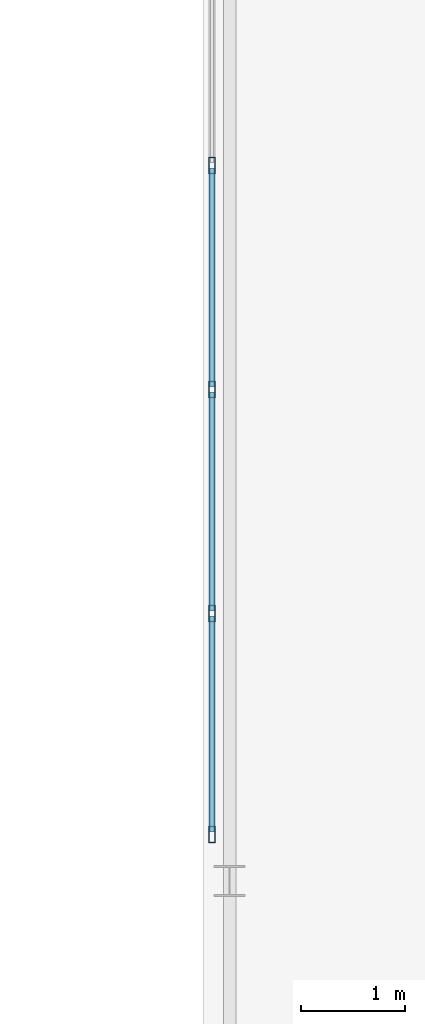
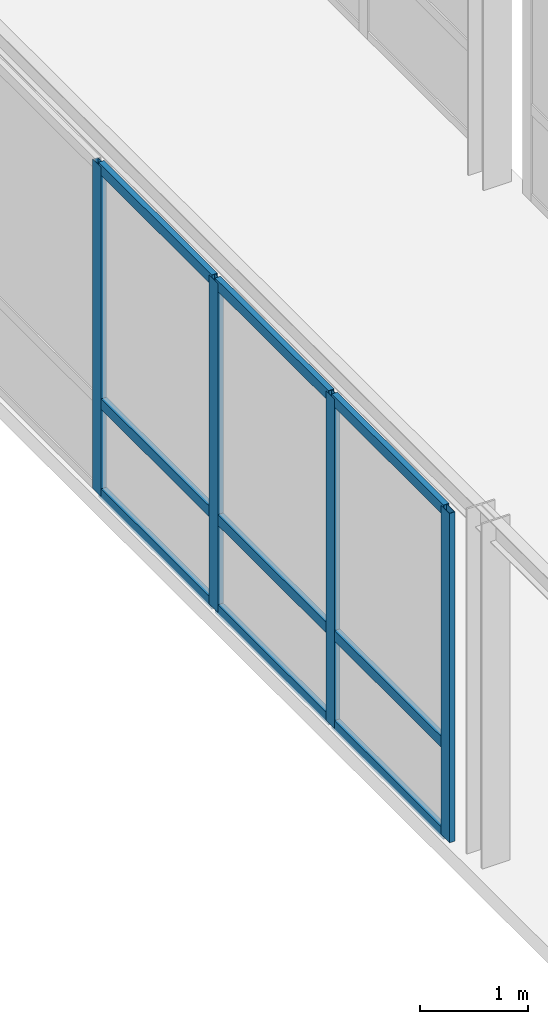
# One storey, part 39 of 189: 13 members, 1 element without a shape of its own.
"""IFC4 building model written with IfcOpenShell, lengths in metres."""

import ifcopenshell
import ifcopenshell.guid

model = None  # the IFC model being written
_history = None  # IfcOwnerHistory: only IFC2X3 demands one
_inside = {}  # id of a spatial element -> (the spatial element, [elements in it])
_under = {}  # id of a project, library or spatial element -> (it, [spatial elements below it])
_declared = {}  # id of a project -> (the project, [libraries it declares])
_typed = {}  # id of a type object -> (the type object, [elements of that type])
_made_of = {}  # id of a material, layer set ... -> (it, [elements and type objects made of it])


def new_model(schema):
    """Start an empty IFC model of exactly this schema.

    Asked for "IFC4X3", IfcOpenShell would pick the latest addendum, in which some entities
    have other attributes; the version numbers below select the first issue.
    IFC2X3 requires an IfcOwnerHistory on every rooted entity: one is made here for all.
    """
    global model, _history
    if schema == "IFC4X3":
        model = ifcopenshell.file(schema_version=(4, 3, 0, 0))
    else:
        model = ifcopenshell.file(schema=schema)
    _inside.clear()
    _under.clear()
    _declared.clear()
    _typed.clear()
    _made_of.clear()
    _history = None
    if model.schema == "IFC2X3":
        org = make("IfcOrganization", Name="unknown")
        user = make(
            "IfcPersonAndOrganization",
            ThePerson=make("IfcPerson", FamilyName="unknown"),
            TheOrganization=org,
        )
        app = make(
            "IfcApplication",
            ApplicationDeveloper=org,
            Version="unknown",
            ApplicationFullName="unknown",
            ApplicationIdentifier="unknown",
        )
        _history = make(
            "IfcOwnerHistory",
            OwningUser=user,
            OwningApplication=app,
            ChangeAction="ADDED",
            CreationDate=0,
        )
    return model


def make(cls, **values):
    """One entity of the class cls with the attributes given. An attribute that is None is left unset."""
    return model.create_entity(
        cls, **{name: value for name, value in values.items() if value is not None}
    )


def rooted(cls, **values):
    """An entity with a GlobalId (a new one), such as an element, a storey or a relation."""
    return make(cls, GlobalId=ifcopenshell.guid.new(), OwnerHistory=_history, **values)


def si_unit(unit_type, name, prefix=None):
    """IfcSIUnit, for example si_unit("LENGTHUNIT", "METRE", prefix="MILLI")."""
    return make("IfcSIUnit", UnitType=unit_type, Prefix=prefix, Name=name)


def assignment(units):
    """IfcUnitAssignment: the units of a project."""
    return None if units is None else make("IfcUnitAssignment", Units=units)


def point(xyz):
    """IfcCartesianPoint."""
    return None if xyz is None else make("IfcCartesianPoint", Coordinates=xyz)


def direction(xyz):
    """IfcDirection."""
    return None if xyz is None else make("IfcDirection", DirectionRatios=xyz)


def frame(location, z_axis=None, x_axis=None):
    """IfcAxis2Placement3D, a coordinate frame: its origin and axes. An axis left out is left unset."""
    return make(
        "IfcAxis2Placement3D",
        Location=point(location),
        Axis=direction(z_axis),
        RefDirection=direction(x_axis),
    )


def frame_2d(location, x_axis=None):
    """IfcAxis2Placement2D, a coordinate frame in the plane: its origin and x axis."""
    return make(
        "IfcAxis2Placement2D", Location=point(location), RefDirection=direction(x_axis)
    )


def origin():
    """The frame at (0, 0, 0) with its axes left unset."""
    return frame((0.0, 0.0, 0.0))


def origin_2d():
    """The frame at (0, 0) in the plane with its x axis left unset."""
    return frame_2d((0.0, 0.0))


def place(relative_to, where):
    """IfcLocalPlacement: puts the frame where relative to a parent placement (None: the world)."""
    return make(
        "IfcLocalPlacement", PlacementRelTo=relative_to, RelativePlacement=where
    )


def context(
    kind, dimensions, precision=None, world=None, true_north=None, identifier=None
):
    """IfcGeometricRepresentationContext, for example the 3D "Model" context."""
    return make(
        "IfcGeometricRepresentationContext",
        ContextIdentifier=identifier,
        ContextType=kind,
        CoordinateSpaceDimension=dimensions,
        Precision=precision,
        WorldCoordinateSystem=world,
        TrueNorth=true_north,
    )


def subcontext(parent, identifier, kind, view, scale=None):
    """IfcGeometricRepresentationSubContext, for example "Body" below "Model"."""
    return make(
        "IfcGeometricRepresentationSubContext",
        ContextIdentifier=identifier,
        ContextType=kind,
        ParentContext=parent,
        TargetScale=scale,
        TargetView=view,
    )


def project(units=None, contexts=None):
    """IfcProject with its units and contexts."""
    return rooted(
        "IfcProject",
        Name="project",
        RepresentationContexts=contexts,
        UnitsInContext=assignment(units),
    )


def spatial(cls, under=None, at=None, **own):
    """A site, building, storey or space (cls), placed at a placement, below another one or the project."""
    s = rooted(cls, ObjectPlacement=at, **own)
    if under is not None:
        _under.setdefault(under.id(), (under, []))[1].append(s)
    return s


def profile(cls, at=None, kind="AREA", **sizes):
    """A parametric profile (cls). Its sizes go by their IFC names, for example OverallWidth=200.0."""
    return make(cls, ProfileType=kind, Position=at, **sizes)


def hollow_rectangle(**sizes):
    """IfcRectangleHollowProfileDef."""
    return profile("IfcRectangleHollowProfileDef", **sizes)


def extrude(swept, where, along, depth):
    """IfcExtrudedAreaSolid: the profile swept, set in the frame where, extruded along a direction by depth."""
    return make(
        "IfcExtrudedAreaSolid",
        SweptArea=swept,
        Position=where,
        ExtrudedDirection=direction(along),
        Depth=depth,
    )


def shape(context_of_items, identifier, shape_type, items):
    """IfcShapeRepresentation: the items that make up one representation, for example the "Body"."""
    return make(
        "IfcShapeRepresentation",
        ContextOfItems=context_of_items,
        RepresentationIdentifier=identifier,
        RepresentationType=shape_type,
        Items=items,
    )


def material(Name=None, Category=None):
    """IfcMaterial."""
    return make("IfcMaterial", Name=Name, Category=Category)


def layer(
    of_material, thickness, ventilated=None, Name=None, Category=None, Priority=None
):
    """IfcMaterialLayer: one layer of a wall or slab, of a material (None: an air gap)."""
    return make(
        "IfcMaterialLayer",
        Material=of_material,
        LayerThickness=thickness,
        IsVentilated=ventilated,
        Name=Name,
        Category=Category,
        Priority=Priority,
    )


def layer_set(layers, Name=None):
    """IfcMaterialLayerSet."""
    return make("IfcMaterialLayerSet", MaterialLayers=layers, LayerSetName=Name)


def material_profile(
    of_material, cross_section, Name=None, Category=None, Priority=None
):
    """IfcMaterialProfile: a cross section and its material."""
    return make(
        "IfcMaterialProfile",
        Name=Name,
        Material=of_material,
        Profile=cross_section,
        Priority=Priority,
        Category=Category,
    )


def profile_set(profiles, Name=None, composite=None):
    """IfcMaterialProfileSet."""
    return make(
        "IfcMaterialProfileSet",
        Name=Name,
        MaterialProfiles=profiles,
        CompositeProfile=composite,
    )


def made_of(thing, what):
    """Note that an element or type object is made of a material, layer set ...; save() writes the relation."""
    if what is not None:
        _made_of.setdefault(what.id(), (what, []))[1].append(thing)
    return thing


def type_object(cls, material=None, **own):
    """A type object (cls), such as IfcWallType, which elements share."""
    return made_of(rooted(cls, **own), material)


def element(
    cls,
    number,
    at=None,
    inside=None,
    cuts=None,
    type_object=None,
    material=None,
    context=None,
    identifier="Body",
    shape_type=None,
    held_by="IfcProductDefinitionShape",
    body=None,
    shapes=None,
    **own,
):
    """One element of the class cls, such as IfcWall. Its Tag is "e" and its number.

    at: its placement. inside: the storey or other place that contains it. cuts: it is an
    opening in that element (IfcRelVoidsElement). A single representation is given by context,
    identifier, shape_type and body (its items); several are given by shapes. held_by: the class
    of the entity that holds the representations. save() writes the other relations.
    """
    e = rooted(cls, Tag="e%d" % number, ObjectPlacement=at, **own)
    if body is not None:
        shapes = [shape(context, identifier, shape_type, body)]
    if shapes is not None:
        e.Representation = make(held_by, Representations=shapes)
    if inside is not None:
        _inside.setdefault(inside.id(), (inside, []))[1].append(e)
    if cuts is not None:
        rooted(
            "IfcRelVoidsElement", RelatingBuildingElement=cuts, RelatedOpeningElement=e
        )
    if type_object is not None:
        _typed.setdefault(type_object.id(), (type_object, []))[1].append(e)
    return made_of(e, material)


def aggregate(whole, parts):
    """IfcRelAggregates: a whole, such as a stair, and the parts it consists of."""
    return rooted("IfcRelAggregates", RelatingObject=whole, RelatedObjects=parts)


def save(model, path):
    """Write the relations noted so far, then the file.

    IfcRelAggregates (storeys below a building ...), IfcRelContainedInSpatialStructure (elements
    in a storey), IfcRelDefinesByType, IfcRelAssociatesMaterial and IfcRelDeclares: one each for
    every whole, place, type object, material and project.
    """
    for whole, parts in _under.values():
        aggregate(whole, parts)
    for where, things in _inside.values():
        rooted(
            "IfcRelContainedInSpatialStructure",
            RelatedElements=things,
            RelatingStructure=where,
        )
    for kind, things in _typed.values():
        rooted("IfcRelDefinesByType", RelatedObjects=things, RelatingType=kind)
    for what, things in _made_of.values():
        rooted("IfcRelAssociatesMaterial", RelatedObjects=things, RelatingMaterial=what)
    for by, libraries in _declared.values():
        rooted("IfcRelDeclares", RelatingContext=by, RelatedDefinitions=libraries)
    model.write(path)


model = new_model("IFC4")

# Units and contexts
model_context = context("Model", 3, precision=1e-05, world=origin(), true_north=direction((0.0, 1.0)))
body_context = subcontext(model_context, "Body", "Model", "MODEL_VIEW")
ifc_project = project(units=[si_unit("LENGTHUNIT", "METRE"), si_unit("AREAUNIT", "SQUARE_METRE"), si_unit("VOLUMEUNIT", "CUBIC_METRE"), si_unit("PLANEANGLEUNIT", "RADIAN"), si_unit("MASSUNIT", "GRAM", prefix="KILO")], contexts=[model_context])

# Site, building, storey
site_placement = place(None, origin())
site = spatial("IfcSite", under=ifc_project, at=site_placement, CompositionType="ELEMENT")
building_placement = place(site_placement, origin())
building = spatial("IfcBuilding", under=site, at=building_placement, Name="Montecoro Central Library", CompositionType="ELEMENT")
storey_placement = place(building_placement, frame((0.0, 0.0, 9.179931640625)))
storey = spatial("IfcBuildingStorey", under=building, at=storey_placement, Name="L02", CompositionType="ELEMENT", Elevation=9.179931640625)

# Curtain wall, members
ifc_material_1 = material(Name="Bronze-anodised aluminium and low-E glazing", Category="aluminium")
ifc_layer = layer(ifc_material_1, 0.159912109375)
ifc_layer_set = layer_set([ifc_layer], Name="Bronze-anodised aluminium and low-E glazing")
curtain_wall_type = type_object("IfcCurtainWallType", Name="CWT-081", PredefinedType="NOTDEFINED", material=ifc_layer_set)
curtain_wall_placement = place(storey_placement, origin())
curtain_wall = element("IfcCurtainWall", 1, at=curtain_wall_placement, inside=storey, type_object=curtain_wall_type, Name="BR-W-L02-CW-W1", PredefinedType="NOTDEFINED")
ifc_material_2 = material(Name="Bronze-anodised aluminium", Category="aluminium")
ifc_material_profile_1 = material_profile(ifc_material_2, hollow_rectangle(XDim=0.06005859375, YDim=0.159912109375, WallThickness=0.00390625, at=origin_2d()), Name="CWM 160x60x4.0")
ifc_profile_set_1 = profile_set([ifc_material_profile_1], Name="Bronze-anodised aluminium")
member_type_1 = type_object("IfcMemberType", Name="CWM-BRZ-60", PredefinedType="MULLION", material=ifc_profile_set_1)
member_1_placement = place(storey_placement, frame((24.8798828125, 45.35009765625, 0.0), z_axis=(0.0, 0.0, 1.0), x_axis=(-1.0, 0.0, 0.0)))
member_1 = element("IfcMember", 2, at=member_1_placement, type_object=member_type_1, Name="CW-081 mullion 1", PredefinedType="MULLION", context=body_context, shape_type="SweptSolid", body=[
    extrude(hollow_rectangle(XDim=0.06005859375, YDim=0.159912109375, WallThickness=0.00390625, at=origin_2d()), origin(), (0.0, 0.0, 1.0), 3.72998046875),
])
member_2_placement = place(storey_placement, frame((24.8798828125, 47.485107421875, 0.0), z_axis=(0.0, 0.0, 1.0), x_axis=(-1.0, 0.0, 0.0)))
member_2 = element("IfcMember", 3, at=member_2_placement, type_object=member_type_1, Name="CW-081 mullion 2", PredefinedType="MULLION", context=body_context, shape_type="SweptSolid", body=[
    extrude(hollow_rectangle(XDim=0.06005859375, YDim=0.159912109375, WallThickness=0.00390625, at=origin_2d()), origin(), (0.0, 0.0, 1.0), 3.72998046875),
])
member_3_placement = place(storey_placement, frame((24.8798828125, 49.64990234375, 0.0), z_axis=(0.0, 0.0, 1.0), x_axis=(-1.0, 0.0, 0.0)))
member_3 = element("IfcMember", 4, at=member_3_placement, type_object=member_type_1, Name="CW-081 mullion 3", PredefinedType="MULLION", context=body_context, shape_type="SweptSolid", body=[
    extrude(hollow_rectangle(XDim=0.06005859375, YDim=0.159912109375, WallThickness=0.00390625, at=origin_2d()), origin(), (0.0, 0.0, 1.0), 3.72998046875),
])
member_4_placement = place(storey_placement, frame((24.8798828125, 51.81494140625, 0.0), z_axis=(0.0, 0.0, 1.0), x_axis=(-1.0, 0.0, 0.0)))
member_4 = element("IfcMember", 5, at=member_4_placement, type_object=member_type_1, Name="CW-081 mullion 4", PredefinedType="MULLION", context=body_context, shape_type="SweptSolid", body=[
    extrude(hollow_rectangle(XDim=0.06005859375, YDim=0.159912109375, WallThickness=0.00390625, at=origin_2d()), origin(), (0.0, 0.0, 1.0), 3.72998046875),
])
ifc_material_profile_2 = material_profile(ifc_material_2, hollow_rectangle(XDim=0.06005859375, YDim=0.1201171875, WallThickness=0.00390625, at=origin_2d()), Name="CWT 120x60x4.0")
ifc_profile_set_2 = profile_set([ifc_material_profile_2], Name="Bronze-anodised aluminium")
member_type_2 = type_object("IfcMemberType", Name="CWT-BRZ-60", PredefinedType="USERDEFINED", material=ifc_profile_set_2)
member_5_placement = place(storey_placement, frame((24.8798828125, 45.3798828125, 0.030029296875), z_axis=(0.0, 1.0, 0.0), x_axis=(-1.0, 0.0, 0.0)))
member_5 = element("IfcMember", 6, at=member_5_placement, type_object=member_type_2, Name="CW-081 transom 1.1", ObjectType="TRANSOM", PredefinedType="USERDEFINED", context=body_context, shape_type="SweptSolid", body=[
    extrude(hollow_rectangle(XDim=0.06005859375, YDim=0.1201171875, WallThickness=0.00390625, at=origin_2d()), origin(), (0.0, 0.0, 1.0), 2.0751953125),
])
member_6_placement = place(storey_placement, frame((24.8798828125, 45.3798828125, 1.050048828125), z_axis=(0.0, 1.0, 0.0), x_axis=(-1.0, 0.0, 0.0)))
member_6 = element("IfcMember", 7, at=member_6_placement, type_object=member_type_2, Name="CW-081 transom 1.2", ObjectType="TRANSOM", PredefinedType="USERDEFINED", context=body_context, shape_type="SweptSolid", body=[
    extrude(hollow_rectangle(XDim=0.06005859375, YDim=0.1201171875, WallThickness=0.00390625, at=origin_2d()), origin(), (0.0, 0.0, 1.0), 2.0751953125),
])
member_7_placement = place(storey_placement, frame((24.8798828125, 45.3798828125, 3.699951171875), z_axis=(0.0, 1.0, 0.0), x_axis=(-1.0, 0.0, 0.0)))
member_7 = element("IfcMember", 8, at=member_7_placement, type_object=member_type_2, Name="CW-081 transom 1.3", ObjectType="TRANSOM", PredefinedType="USERDEFINED", context=body_context, shape_type="SweptSolid", body=[
    extrude(hollow_rectangle(XDim=0.06005859375, YDim=0.1201171875, WallThickness=0.00390625, at=origin_2d()), origin(), (0.0, 0.0, 1.0), 2.0751953125),
])
member_8_placement = place(storey_placement, frame((24.8798828125, 47.514892578125, 0.030029296875), z_axis=(0.0, 1.0, 0.0), x_axis=(-1.0, 0.0, 0.0)))
member_8 = element("IfcMember", 9, at=member_8_placement, type_object=member_type_2, Name="CW-081 transom 2.1", ObjectType="TRANSOM", PredefinedType="USERDEFINED", context=body_context, shape_type="SweptSolid", body=[
    extrude(hollow_rectangle(XDim=0.06005859375, YDim=0.1201171875, WallThickness=0.00390625, at=origin_2d()), origin(), (0.0, 0.0, 1.0), 2.105224609375),
])
member_9_placement = place(storey_placement, frame((24.8798828125, 47.514892578125, 1.050048828125), z_axis=(0.0, 1.0, 0.0), x_axis=(-1.0, 0.0, 0.0)))
member_9 = element("IfcMember", 10, at=member_9_placement, type_object=member_type_2, Name="CW-081 transom 2.2", ObjectType="TRANSOM", PredefinedType="USERDEFINED", context=body_context, shape_type="SweptSolid", body=[
    extrude(hollow_rectangle(XDim=0.06005859375, YDim=0.1201171875, WallThickness=0.00390625, at=origin_2d()), origin(), (0.0, 0.0, 1.0), 2.105224609375),
])
member_10_placement = place(storey_placement, frame((24.8798828125, 47.514892578125, 3.699951171875), z_axis=(0.0, 1.0, 0.0), x_axis=(-1.0, 0.0, 0.0)))
member_10 = element("IfcMember", 11, at=member_10_placement, type_object=member_type_2, Name="CW-081 transom 2.3", ObjectType="TRANSOM", PredefinedType="USERDEFINED", context=body_context, shape_type="SweptSolid", body=[
    extrude(hollow_rectangle(XDim=0.06005859375, YDim=0.1201171875, WallThickness=0.00390625, at=origin_2d()), origin(), (0.0, 0.0, 1.0), 2.105224609375),
])
member_11_placement = place(storey_placement, frame((24.8798828125, 49.679931640625, 0.030029296875), z_axis=(0.0, 1.0, 0.0), x_axis=(-1.0, 0.0, 0.0)))
member_11 = element("IfcMember", 12, at=member_11_placement, type_object=member_type_2, Name="CW-081 transom 3.1", ObjectType="TRANSOM", PredefinedType="USERDEFINED", context=body_context, shape_type="SweptSolid", body=[
    extrude(hollow_rectangle(XDim=0.06005859375, YDim=0.1201171875, WallThickness=0.00390625, at=origin_2d()), origin(), (0.0, 0.0, 1.0), 2.10498046875),
])
member_12_placement = place(storey_placement, frame((24.8798828125, 49.679931640625, 1.050048828125), z_axis=(0.0, 1.0, 0.0), x_axis=(-1.0, 0.0, 0.0)))
member_12 = element("IfcMember", 13, at=member_12_placement, type_object=member_type_2, Name="CW-081 transom 3.2", ObjectType="TRANSOM", PredefinedType="USERDEFINED", context=body_context, shape_type="SweptSolid", body=[
    extrude(hollow_rectangle(XDim=0.06005859375, YDim=0.1201171875, WallThickness=0.00390625, at=origin_2d()), origin(), (0.0, 0.0, 1.0), 2.10498046875),
])
member_13_placement = place(storey_placement, frame((24.8798828125, 49.679931640625, 3.699951171875), z_axis=(0.0, 1.0, 0.0), x_axis=(-1.0, 0.0, 0.0)))
member_13 = element("IfcMember", 14, at=member_13_placement, type_object=member_type_2, Name="CW-081 transom 3.3", ObjectType="TRANSOM", PredefinedType="USERDEFINED", context=body_context, shape_type="SweptSolid", body=[
    extrude(hollow_rectangle(XDim=0.06005859375, YDim=0.1201171875, WallThickness=0.00390625, at=origin_2d()), origin(), (0.0, 0.0, 1.0), 2.10498046875),
])
aggregate(curtain_wall, [member_1, member_2, member_3, member_4, member_5, member_6, member_7, member_8, member_9, member_10, member_11, member_12, member_13])

save(model, "model.ifc")
